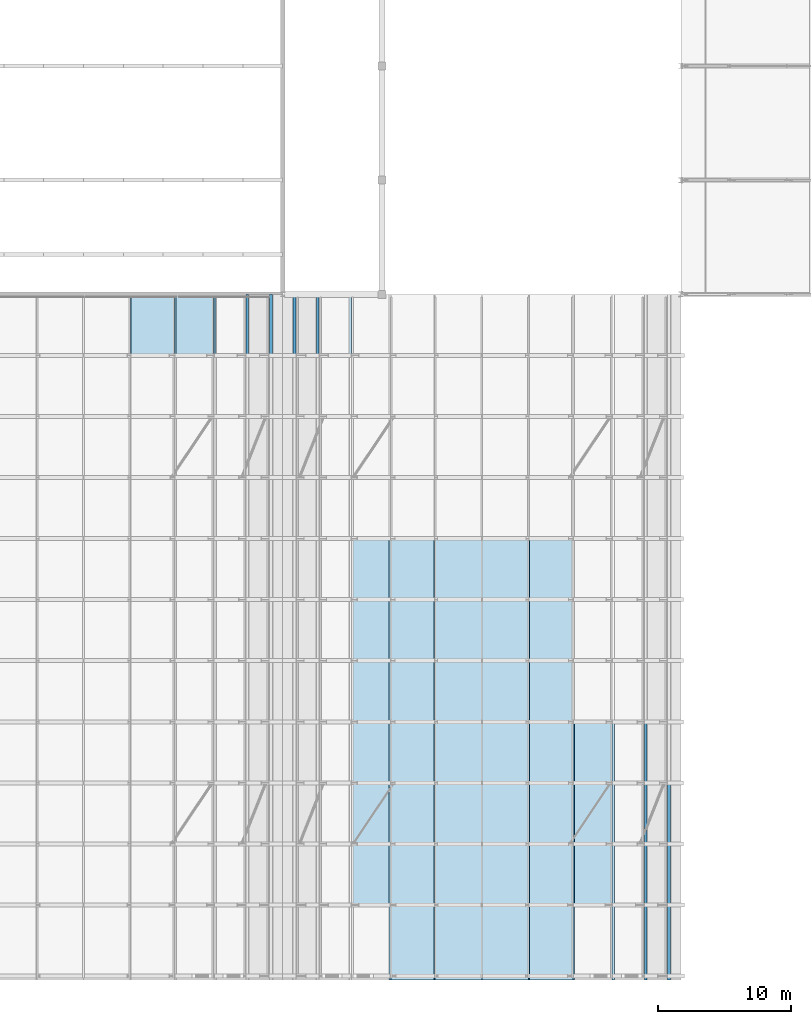
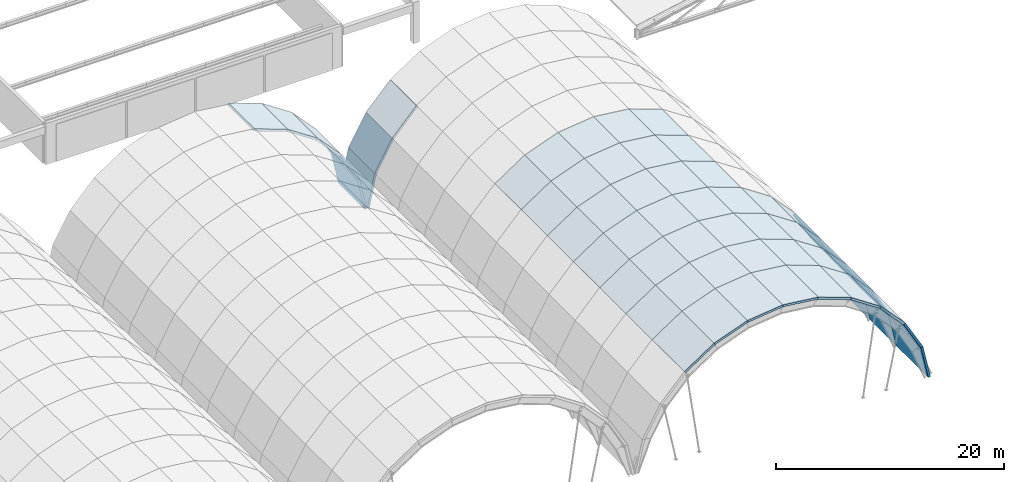
# One storey, part 24 of 47: 58 slabs, 2 elements without a shape of their own.
"""IFC4 building model written with IfcOpenShell, lengths in metres."""

from ifc_helpers import new_model, si_unit, direction, frame, origin, place, context, subcontext, project, spatial, polyline, outline, extrude, material, layer, layer_set, type_object, element, aggregate, save


model = new_model("IFC4")

# Units and contexts
model_context = context("Model", 3, precision=1e-05, world=origin(), true_north=direction((0.0, 1.0)))
body_context = subcontext(model_context, "Body", "Model", "MODEL_VIEW")
ifc_project = project(units=[si_unit("LENGTHUNIT", "METRE"), si_unit("AREAUNIT", "SQUARE_METRE"), si_unit("VOLUMEUNIT", "CUBIC_METRE"), si_unit("PLANEANGLEUNIT", "RADIAN"), si_unit("MASSUNIT", "GRAM", prefix="KILO")], contexts=[model_context])

# Site, building, storey
site_placement = place(None, origin())
site = spatial("IfcSite", under=ifc_project, at=site_placement, CompositionType="ELEMENT")
building_placement = place(site_placement, origin())
building = spatial("IfcBuilding", under=site, at=building_placement, Name="Muzn Square Opera House", CompositionType="ELEMENT")
storey_placement = place(building_placement, frame((0.0, 0.0, 31.0)))
storey = spatial("IfcBuildingStorey", under=building, at=storey_placement, Name="RF-1", CompositionType="ELEMENT", Elevation=31.0)

# Roof, slabs
ifc_material_1 = material(Name="Patina green copper-zinc standing seam", Category="metal")
roof_type = type_object("IfcRoofType", Name="Barrel Vault Roof Assembly", PredefinedType="BARREL_ROOF", material=ifc_material_1)
roof_1_placement = place(storey_placement, origin())
roof_1 = element("IfcRoof", 1, at=roof_1_placement, inside=storey, type_object=roof_type, Name="Grand Auditorium Barrel Vault Roof Assembly", PredefinedType="BARREL_ROOF")
ifc_material_2 = material(Name="Concrete C40/50", Category="concrete")
ifc_layer = layer(ifc_material_2, 0.219970703125, Name="Concrete C40/50", Category="concrete")
ifc_layer_set = layer_set([ifc_layer], Name="Concrete C40/50")
slab_type = type_object("IfcSlabType", Name="Barrel Vault Roof Slab 220mm", PredefinedType="ROOF", material=ifc_layer_set)
slab_1_placement = place(storey_placement, frame((91.58642578125, 68.0, -0.00244140625), z_axis=(0.344922006795, 0.0, 0.938631348948), x_axis=(0.938631348948, 0.0, -0.344922006795)))
slab_1 = element("IfcSlab", 2, at=slab_1_placement, type_object=slab_type, Name="Barrel Vault Roof Deck Strip V2-10-F07", PredefinedType="ROOF", context=body_context, shape_type="SweptSolid", body=[
    extrude(outline(polyline([(0.0, 0.0), (3.6112670233072075, 0.0), (3.6112670233072075, 4.60009765625), (0.0, 4.60009765625), (0.0, 0.0)])), origin(), (0.0, 0.0, -1.0), 0.219970703125),
])
slab_2_placement = place(storey_placement, frame((94.97607421875, 68.0, -1.248046875), z_axis=(0.553701293488, 0.0, 0.832715364089), x_axis=(0.832715364089, 0.0, -0.553701293488)))
slab_2 = element("IfcSlab", 3, at=slab_2_placement, type_object=slab_type, Name="Barrel Vault Roof Deck Strip V2-10-F08", PredefinedType="ROOF", context=body_context, shape_type="SweptSolid", body=[
    extrude(outline(polyline([(0.0, 0.0), (3.611174007116638, 0.0), (3.611174007116638, 4.600097656249999), (0.0, 4.600097656249999), (0.0, 0.0)])), origin(), (0.0, 0.0, -1.0), 0.219970703125),
])
slab_3_placement = place(storey_placement, frame((97.983154296875, 68.0, -3.24755859375), z_axis=(0.732198498352, 0.0, 0.681091300055), x_axis=(0.681091300055, 0.0, -0.732198498352)))
slab_3 = element("IfcSlab", 4, at=slab_3_placement, type_object=slab_type, Name="Barrel Vault Roof Deck Strip V2-10-F09", PredefinedType="ROOF", context=body_context, shape_type="SweptSolid", body=[
    extrude(outline(polyline([(0.0, 0.0), (3.611434761647482, 0.0), (3.611434761647482, 4.600097656250001), (0.0, 4.600097656250001), (0.0, 0.0)])), origin(), (0.0, 0.0, -1.0), 0.219970703125),
])
slab_4_placement = place(storey_placement, frame((100.44287109375, 68.0, -5.891845703125), z_axis=(0.870542692247, 0.0, 0.492092898724), x_axis=(0.492092898724, 0.0, -0.870542692247)))
slab_4 = element("IfcSlab", 5, at=slab_4_placement, type_object=slab_type, Name="Barrel Vault Roof Deck Strip V2-10-F10", PredefinedType="ROOF", context=body_context, shape_type="SweptSolid", body=[
    extrude(outline(polyline([(0.0, 0.0), (3.611309193818898, 0.0), (3.611309193818898, 4.60009765625), (0.0, 4.60009765625), (0.0, 0.0)])), origin(), (0.0, 0.0, -1.0), 0.219970703125),
])
slab_5_placement = place(storey_placement, frame((102.219970703125, 68.0, -9.03564453125), z_axis=(0.97702538959, 0.0, 0.213122941272), x_axis=(0.213122941272, 0.0, -0.97702538959)))
slab_5 = element("IfcSlab", 6, at=slab_5_placement, type_object=slab_type, Name="Barrel Vault Roof Deck Strip V2-10-F11", PredefinedType="ROOF", context=body_context, shape_type="SweptSolid", body=[
    extrude(outline(polyline([(0.0, 0.0), (3.5523162058829336, 0.0), (3.5523162058829336, 4.60009765625), (0.0, 4.60009765625), (0.0, 0.0)])), origin(), (0.0, 0.0, -1.0), 0.219970703125),
])
aggregate(roof_1, [slab_1, slab_2, slab_3, slab_4, slab_5])

roof_2_placement = place(storey_placement, origin())
roof_2 = element("IfcRoof", 7, at=roof_2_placement, inside=storey, type_object=roof_type, Name="East Foyer Barrel Vault Roof Assembly", PredefinedType="BARREL_ROOF")
slab_6_placement = place(storey_placement, frame((111.02392578125, 20.949951171875, -1.248046875), z_axis=(-0.553701293488, 0.0, 0.832715364089), x_axis=(0.0, 1.0, 0.0)))
slab_6 = element("IfcSlab", 8, at=slab_6_placement, type_object=slab_type, Name="Barrel Vault Roof Deck Strip V3-00-F03", PredefinedType="ROOF", context=body_context, shape_type="SweptSolid", body=[
    extrude(outline(polyline([(0.0, 3.6111740071166376), (0.0, 0.0), (5.650146484375, 0.0), (5.650146484375, 3.6111740071166376), (0.0, 3.6111740071166376)])), origin(), (0.0, 0.0, -1.0), 0.219970703125),
])
slab_7_placement = place(storey_placement, frame((114.41357421875, 20.949951171875, -0.00244140625), z_axis=(-0.344922006795, 0.0, 0.938631348948), x_axis=(0.0, 1.0, 0.0)))
slab_7 = element("IfcSlab", 9, at=slab_7_placement, type_object=slab_type, Name="Barrel Vault Roof Deck Strip V3-00-F04", PredefinedType="ROOF", context=body_context, shape_type="SweptSolid", body=[
    extrude(outline(polyline([(0.0, 3.6112670233072075), (0.0, 0.0), (5.650146484375, 0.0), (5.650146484375, 3.6112670233072075), (0.0, 3.6112670233072075)])), origin(), (0.0, 0.0, -1.0), 0.219970703125),
])
slab_8_placement = place(storey_placement, frame((118.0, 20.949951171875, 0.419921875), z_axis=(-0.116958923267, 0.0, 0.993136753055), x_axis=(0.0, 1.0, 0.0)))
slab_8 = element("IfcSlab", 10, at=slab_8_placement, type_object=slab_type, Name="Barrel Vault Roof Deck Strip V3-00-F05", PredefinedType="ROOF", context=body_context, shape_type="SweptSolid", body=[
    extrude(outline(polyline([(0.0, 3.611210410065154), (0.0, 0.0), (5.650146484375, 0.0), (5.650146484375, 3.611210410065154), (0.0, 3.611210410065154)])), origin(), (0.0, 0.0, -1.0), 0.219970703125),
])
slab_9_placement = place(storey_placement, frame((118.0, 20.949951171875, 0.419921875), z_axis=(0.116958923267, 0.0, 0.993136753055), x_axis=(0.993136753055, 0.0, -0.116958923267)))
slab_9 = element("IfcSlab", 11, at=slab_9_placement, type_object=slab_type, Name="Barrel Vault Roof Deck Strip V3-00-F06", PredefinedType="ROOF", context=body_context, shape_type="SweptSolid", body=[
    extrude(outline(polyline([(0.0, 0.0), (3.611210410065154, 0.0), (3.611210410065154, 5.650146484375), (0.0, 5.650146484375), (0.0, 0.0)])), origin(), (0.0, 0.0, -1.0), 0.219970703125),
])
slab_10_placement = place(storey_placement, frame((121.58642578125, 20.949951171875, -0.00244140625), z_axis=(0.344922006795, 0.0, 0.938631348948), x_axis=(0.938631348948, 0.0, -0.344922006795)))
slab_10 = element("IfcSlab", 12, at=slab_10_placement, type_object=slab_type, Name="Barrel Vault Roof Deck Strip V3-00-F07", PredefinedType="ROOF", context=body_context, shape_type="SweptSolid", body=[
    extrude(outline(polyline([(0.0, 0.0), (3.6112670233072075, 0.0), (3.6112670233072075, 5.650146484375), (0.0, 5.650146484375), (0.0, 0.0)])), origin(), (0.0, 0.0, -1.0), 0.219970703125),
])
slab_11_placement = place(storey_placement, frame((124.97607421875, 20.949951171875, -1.248046875), z_axis=(0.553701293488, 0.0, 0.832715364089), x_axis=(0.832715364089, 0.0, -0.553701293488)))
slab_11 = element("IfcSlab", 13, at=slab_11_placement, type_object=slab_type, Name="Barrel Vault Roof Deck Strip V3-00-F08", PredefinedType="ROOF", context=body_context, shape_type="SweptSolid", body=[
    extrude(outline(polyline([(0.0, 0.0), (3.611174007116638, 0.0), (3.611174007116638, 5.650146484375), (0.0, 5.650146484375), (0.0, 0.0)])), origin(), (0.0, 0.0, -1.0), 0.219970703125),
])
slab_12_placement = place(storey_placement, frame((127.983154296875, 20.949951171875, -3.24755859375), z_axis=(0.732198498352, 0.0, 0.681091300055), x_axis=(0.681091300055, 0.0, -0.732198498352)))
slab_12 = element("IfcSlab", 14, at=slab_12_placement, type_object=slab_type, Name="Barrel Vault Roof Deck Strip V3-00-F09", PredefinedType="ROOF", context=body_context, shape_type="SweptSolid", body=[
    extrude(outline(polyline([(0.0, 0.0), (3.611434761647482, 0.0), (3.611434761647482, 5.650146484375), (0.0, 5.650146484375), (0.0, 0.0)])), origin(), (0.0, 0.0, -1.0), 0.219970703125),
])
slab_13_placement = place(storey_placement, frame((130.44287109375, 20.949951171875, -5.891845703125), z_axis=(0.870542692247, 0.0, 0.492092898724), x_axis=(0.492092898724, 0.0, -0.870542692247)))
slab_13 = element("IfcSlab", 15, at=slab_13_placement, type_object=slab_type, Name="Barrel Vault Roof Deck Strip V3-00-F10", PredefinedType="ROOF", context=body_context, shape_type="SweptSolid", body=[
    extrude(outline(polyline([(0.0, 0.0), (3.611309193818898, 0.0), (3.611309193818898, 5.650146484375), (0.0, 5.650146484375), (0.0, 0.0)])), origin(), (0.0, 0.0, -1.0), 0.219970703125),
])
slab_14_placement = place(storey_placement, frame((132.219970703125, 20.949951171875, -9.03564453125), z_axis=(0.97702538959, 0.0, 0.213122941272), x_axis=(0.213122941272, 0.0, -0.97702538959)))
slab_14 = element("IfcSlab", 16, at=slab_14_placement, type_object=slab_type, Name="Barrel Vault Roof Deck Strip V3-00-F11", PredefinedType="ROOF", context=body_context, shape_type="SweptSolid", body=[
    extrude(outline(polyline([(0.0, 0.0), (3.5523162058829336, 0.0), (3.5523162058829336, 5.650146484375), (0.0, 5.650146484375), (0.0, 0.0)])), origin(), (0.0, 0.0, -1.0), 0.219970703125),
])
slab_15_placement = place(storey_placement, frame((111.02392578125, 26.60009765625, -1.248046875), z_axis=(-0.553701293488, 0.0, 0.832715364089), x_axis=(0.0, 1.0, 0.0)))
slab_15 = element("IfcSlab", 17, at=slab_15_placement, type_object=slab_type, Name="Barrel Vault Roof Deck Strip V3-01-F03", PredefinedType="ROOF", context=body_context, shape_type="SweptSolid", body=[
    extrude(outline(polyline([(0.0, 3.6111740071166376), (0.0, 0.0), (4.599853515625, 0.0), (4.599853515625, 3.6111740071166376), (0.0, 3.6111740071166376)])), origin(), (0.0, 0.0, -1.0), 0.219970703125),
])
slab_16_placement = place(storey_placement, frame((114.41357421875, 26.60009765625, -0.00244140625), z_axis=(-0.344922006795, 0.0, 0.938631348948), x_axis=(0.0, 1.0, 0.0)))
slab_16 = element("IfcSlab", 18, at=slab_16_placement, type_object=slab_type, Name="Barrel Vault Roof Deck Strip V3-01-F04", PredefinedType="ROOF", context=body_context, shape_type="SweptSolid", body=[
    extrude(outline(polyline([(0.0, 3.6112670233072075), (0.0, 0.0), (4.599853515625, 0.0), (4.599853515625, 3.6112670233072075), (0.0, 3.6112670233072075)])), origin(), (0.0, 0.0, -1.0), 0.219970703125),
])
slab_17_placement = place(storey_placement, frame((118.0, 26.60009765625, 0.419921875), z_axis=(-0.116958923267, 0.0, 0.993136753055), x_axis=(0.0, 1.0, 0.0)))
slab_17 = element("IfcSlab", 19, at=slab_17_placement, type_object=slab_type, Name="Barrel Vault Roof Deck Strip V3-01-F05", PredefinedType="ROOF", context=body_context, shape_type="SweptSolid", body=[
    extrude(outline(polyline([(0.0, 3.611210410065154), (0.0, 0.0), (4.599853515625, 0.0), (4.599853515625, 3.611210410065154), (0.0, 3.611210410065154)])), origin(), (0.0, 0.0, -1.0), 0.219970703125),
])
slab_18_placement = place(storey_placement, frame((118.0, 26.60009765625, 0.419921875), z_axis=(0.116958923267, 0.0, 0.993136753055), x_axis=(0.993136753055, 0.0, -0.116958923267)))
slab_18 = element("IfcSlab", 20, at=slab_18_placement, type_object=slab_type, Name="Barrel Vault Roof Deck Strip V3-01-F06", PredefinedType="ROOF", context=body_context, shape_type="SweptSolid", body=[
    extrude(outline(polyline([(0.0, 0.0), (3.611210410065154, 0.0), (3.611210410065154, 4.599853515625), (0.0, 4.599853515625), (0.0, 0.0)])), origin(), (0.0, 0.0, -1.0), 0.219970703125),
])
slab_19_placement = place(storey_placement, frame((121.58642578125, 26.60009765625, -0.00244140625), z_axis=(0.344922006795, 0.0, 0.938631348948), x_axis=(0.938631348948, 0.0, -0.344922006795)))
slab_19 = element("IfcSlab", 21, at=slab_19_placement, type_object=slab_type, Name="Barrel Vault Roof Deck Strip V3-01-F07", PredefinedType="ROOF", context=body_context, shape_type="SweptSolid", body=[
    extrude(outline(polyline([(0.0, 0.0), (3.6112670233072075, 0.0), (3.6112670233072075, 4.599853515625), (0.0, 4.599853515625), (0.0, 0.0)])), origin(), (0.0, 0.0, -1.0), 0.219970703125),
])
slab_20_placement = place(storey_placement, frame((124.97607421875, 26.60009765625, -1.248046875), z_axis=(0.553701293488, 0.0, 0.832715364089), x_axis=(0.832715364089, 0.0, -0.553701293488)))
slab_20 = element("IfcSlab", 22, at=slab_20_placement, type_object=slab_type, Name="Barrel Vault Roof Deck Strip V3-01-F08", PredefinedType="ROOF", context=body_context, shape_type="SweptSolid", body=[
    extrude(outline(polyline([(0.0, 0.0), (3.611174007116638, 0.0), (3.611174007116638, 4.599853515625), (0.0, 4.599853515625), (0.0, 0.0)])), origin(), (0.0, 0.0, -1.0), 0.219970703125),
])
slab_21_placement = place(storey_placement, frame((127.983154296875, 26.60009765625, -3.24755859375), z_axis=(0.732198498352, 0.0, 0.681091300055), x_axis=(0.681091300055, 0.0, -0.732198498352)))
slab_21 = element("IfcSlab", 23, at=slab_21_placement, type_object=slab_type, Name="Barrel Vault Roof Deck Strip V3-01-F09", PredefinedType="ROOF", context=body_context, shape_type="SweptSolid", body=[
    extrude(outline(polyline([(0.0, 0.0), (3.611434761647482, 0.0), (3.611434761647482, 4.599853515625), (0.0, 4.599853515625), (0.0, 0.0)])), origin(), (0.0, 0.0, -1.0), 0.219970703125),
])
slab_22_placement = place(storey_placement, frame((130.44287109375, 26.60009765625, -5.891845703125), z_axis=(0.870542692247, 0.0, 0.492092898724), x_axis=(0.492092898724, 0.0, -0.870542692247)))
slab_22 = element("IfcSlab", 24, at=slab_22_placement, type_object=slab_type, Name="Barrel Vault Roof Deck Strip V3-01-F10", PredefinedType="ROOF", context=body_context, shape_type="SweptSolid", body=[
    extrude(outline(polyline([(0.0, 0.0), (3.611309193818898, 0.0), (3.611309193818898, 4.599853515625), (0.0, 4.599853515625), (0.0, 0.0)])), origin(), (0.0, 0.0, -1.0), 0.219970703125),
])
slab_23_placement = place(storey_placement, frame((132.219970703125, 26.60009765625, -9.03564453125), z_axis=(0.97702538959, 0.0, 0.213122941272), x_axis=(0.213122941272, 0.0, -0.97702538959)))
slab_23 = element("IfcSlab", 25, at=slab_23_placement, type_object=slab_type, Name="Barrel Vault Roof Deck Strip V3-01-F11", PredefinedType="ROOF", context=body_context, shape_type="SweptSolid", body=[
    extrude(outline(polyline([(0.0, 0.0), (3.5523162058829336, 0.0), (3.5523162058829336, 4.599853515625), (0.0, 4.599853515625), (0.0, 0.0)])), origin(), (0.0, 0.0, -1.0), 0.219970703125),
])
slab_24_placement = place(storey_placement, frame((111.02392578125, 31.199951171875, -1.248046875), z_axis=(-0.553701293488, 0.0, 0.832715364089), x_axis=(0.0, 1.0, 0.0)))
slab_24 = element("IfcSlab", 26, at=slab_24_placement, type_object=slab_type, Name="Barrel Vault Roof Deck Strip V3-02-F03", PredefinedType="ROOF", context=body_context, shape_type="SweptSolid", body=[
    extrude(outline(polyline([(0.0, 3.611174007116637), (0.0, 0.0), (4.60009765625, 0.0), (4.60009765625, 3.611174007116637), (0.0, 3.611174007116637)])), origin(), (0.0, 0.0, -1.0), 0.219970703125),
])
slab_25_placement = place(storey_placement, frame((114.41357421875, 31.199951171875, -0.00244140625), z_axis=(-0.344922006795, 0.0, 0.938631348948), x_axis=(0.0, 1.0, 0.0)))
slab_25 = element("IfcSlab", 27, at=slab_25_placement, type_object=slab_type, Name="Barrel Vault Roof Deck Strip V3-02-F04", PredefinedType="ROOF", context=body_context, shape_type="SweptSolid", body=[
    extrude(outline(polyline([(0.0, 3.6112670233072075), (0.0, 0.0), (4.60009765625, 0.0), (4.60009765625, 3.6112670233072075), (0.0, 3.6112670233072075)])), origin(), (0.0, 0.0, -1.0), 0.219970703125),
])
slab_26_placement = place(storey_placement, frame((118.0, 31.199951171875, 0.419921875), z_axis=(-0.116958923267, 0.0, 0.993136753055), x_axis=(0.0, 1.0, 0.0)))
slab_26 = element("IfcSlab", 28, at=slab_26_placement, type_object=slab_type, Name="Barrel Vault Roof Deck Strip V3-02-F05", PredefinedType="ROOF", context=body_context, shape_type="SweptSolid", body=[
    extrude(outline(polyline([(0.0, 3.611210410065154), (0.0, 0.0), (4.60009765625, 0.0), (4.60009765625, 3.611210410065154), (0.0, 3.611210410065154)])), origin(), (0.0, 0.0, -1.0), 0.219970703125),
])
slab_27_placement = place(storey_placement, frame((118.0, 31.199951171875, 0.419921875), z_axis=(0.116958923267, 0.0, 0.993136753055), x_axis=(0.993136753055, 0.0, -0.116958923267)))
slab_27 = element("IfcSlab", 29, at=slab_27_placement, type_object=slab_type, Name="Barrel Vault Roof Deck Strip V3-02-F06", PredefinedType="ROOF", context=body_context, shape_type="SweptSolid", body=[
    extrude(outline(polyline([(0.0, 0.0), (3.611210410065154, 0.0), (3.611210410065154, 4.60009765625), (0.0, 4.60009765625), (0.0, 0.0)])), origin(), (0.0, 0.0, -1.0), 0.219970703125),
])
slab_28_placement = place(storey_placement, frame((121.58642578125, 31.199951171875, -0.00244140625), z_axis=(0.344922006795, 0.0, 0.938631348948), x_axis=(0.938631348948, 0.0, -0.344922006795)))
slab_28 = element("IfcSlab", 30, at=slab_28_placement, type_object=slab_type, Name="Barrel Vault Roof Deck Strip V3-02-F07", PredefinedType="ROOF", context=body_context, shape_type="SweptSolid", body=[
    extrude(outline(polyline([(0.0, 0.0), (3.6112670233072075, 0.0), (3.6112670233072075, 4.60009765625), (0.0, 4.60009765625), (0.0, 0.0)])), origin(), (0.0, 0.0, -1.0), 0.219970703125),
])
slab_29_placement = place(storey_placement, frame((124.97607421875, 31.199951171875, -1.248046875), z_axis=(0.553701293488, 0.0, 0.832715364089), x_axis=(0.832715364089, 0.0, -0.553701293488)))
slab_29 = element("IfcSlab", 31, at=slab_29_placement, type_object=slab_type, Name="Barrel Vault Roof Deck Strip V3-02-F08", PredefinedType="ROOF", context=body_context, shape_type="SweptSolid", body=[
    extrude(outline(polyline([(0.0, 0.0), (3.611174007116638, 0.0), (3.611174007116638, 4.600097656249999), (0.0, 4.600097656249999), (0.0, 0.0)])), origin(), (0.0, 0.0, -1.0), 0.219970703125),
])
slab_30_placement = place(storey_placement, frame((127.983154296875, 31.199951171875, -3.24755859375), z_axis=(0.732198498352, 0.0, 0.681091300055), x_axis=(0.681091300055, 0.0, -0.732198498352)))
slab_30 = element("IfcSlab", 32, at=slab_30_placement, type_object=slab_type, Name="Barrel Vault Roof Deck Strip V3-02-F09", PredefinedType="ROOF", context=body_context, shape_type="SweptSolid", body=[
    extrude(outline(polyline([(0.0, 0.0), (3.611434761647482, 0.0), (3.611434761647482, 4.600097656250001), (0.0, 4.600097656250001), (0.0, 0.0)])), origin(), (0.0, 0.0, -1.0), 0.219970703125),
])
slab_31_placement = place(storey_placement, frame((130.44287109375, 31.199951171875, -5.891845703125), z_axis=(0.870542692247, 0.0, 0.492092898724), x_axis=(0.492092898724, 0.0, -0.870542692247)))
slab_31 = element("IfcSlab", 33, at=slab_31_placement, type_object=slab_type, Name="Barrel Vault Roof Deck Strip V3-02-F10", PredefinedType="ROOF", context=body_context, shape_type="SweptSolid", body=[
    extrude(outline(polyline([(0.0, 0.0), (3.611309193818898, 0.0), (3.611309193818898, 4.60009765625), (0.0, 4.60009765625), (0.0, 0.0)])), origin(), (0.0, 0.0, -1.0), 0.219970703125),
])
slab_32_placement = place(storey_placement, frame((132.219970703125, 31.199951171875, -9.03564453125), z_axis=(0.97702538959, 0.0, 0.213122941272), x_axis=(0.213122941272, 0.0, -0.97702538959)))
slab_32 = element("IfcSlab", 34, at=slab_32_placement, type_object=slab_type, Name="Barrel Vault Roof Deck Strip V3-02-F11", PredefinedType="ROOF", context=body_context, shape_type="SweptSolid", body=[
    extrude(outline(polyline([(0.0, 0.0), (3.5523162058829336, 0.0), (3.5523162058829336, 4.60009765625), (0.0, 4.60009765625), (0.0, 0.0)])), origin(), (0.0, 0.0, -1.0), 0.219970703125),
])
slab_33_placement = place(storey_placement, frame((111.02392578125, 35.800048828125, -1.248046875), z_axis=(-0.553701293488, 0.0, 0.832715364089), x_axis=(0.0, 1.0, 0.0)))
slab_33 = element("IfcSlab", 35, at=slab_33_placement, type_object=slab_type, Name="Barrel Vault Roof Deck Strip V3-03-F03", PredefinedType="ROOF", context=body_context, shape_type="SweptSolid", body=[
    extrude(outline(polyline([(0.0, 3.6111740071166376), (0.0, 0.0), (4.599853515625, 0.0), (4.599853515625, 3.6111740071166376), (0.0, 3.6111740071166376)])), origin(), (0.0, 0.0, -1.0), 0.219970703125),
])
slab_34_placement = place(storey_placement, frame((114.41357421875, 35.800048828125, -0.00244140625), z_axis=(-0.344922006795, 0.0, 0.938631348948), x_axis=(0.0, 1.0, 0.0)))
slab_34 = element("IfcSlab", 36, at=slab_34_placement, type_object=slab_type, Name="Barrel Vault Roof Deck Strip V3-03-F04", PredefinedType="ROOF", context=body_context, shape_type="SweptSolid", body=[
    extrude(outline(polyline([(0.0, 3.6112670233072075), (0.0, 0.0), (4.599853515625, 0.0), (4.599853515625, 3.6112670233072075), (0.0, 3.6112670233072075)])), origin(), (0.0, 0.0, -1.0), 0.219970703125),
])
slab_35_placement = place(storey_placement, frame((118.0, 35.800048828125, 0.419921875), z_axis=(-0.116958923267, 0.0, 0.993136753055), x_axis=(0.0, 1.0, 0.0)))
slab_35 = element("IfcSlab", 37, at=slab_35_placement, type_object=slab_type, Name="Barrel Vault Roof Deck Strip V3-03-F05", PredefinedType="ROOF", context=body_context, shape_type="SweptSolid", body=[
    extrude(outline(polyline([(0.0, 3.611210410065154), (0.0, 0.0), (4.599853515625, 0.0), (4.599853515625, 3.611210410065154), (0.0, 3.611210410065154)])), origin(), (0.0, 0.0, -1.0), 0.219970703125),
])
slab_36_placement = place(storey_placement, frame((118.0, 35.800048828125, 0.419921875), z_axis=(0.116958923267, 0.0, 0.993136753055), x_axis=(0.993136753055, 0.0, -0.116958923267)))
slab_36 = element("IfcSlab", 38, at=slab_36_placement, type_object=slab_type, Name="Barrel Vault Roof Deck Strip V3-03-F06", PredefinedType="ROOF", context=body_context, shape_type="SweptSolid", body=[
    extrude(outline(polyline([(0.0, 0.0), (3.611210410065154, 0.0), (3.611210410065154, 4.599853515625), (0.0, 4.599853515625), (0.0, 0.0)])), origin(), (0.0, 0.0, -1.0), 0.219970703125),
])
slab_37_placement = place(storey_placement, frame((121.58642578125, 35.800048828125, -0.00244140625), z_axis=(0.344922006795, 0.0, 0.938631348948), x_axis=(0.938631348948, 0.0, -0.344922006795)))
slab_37 = element("IfcSlab", 39, at=slab_37_placement, type_object=slab_type, Name="Barrel Vault Roof Deck Strip V3-03-F07", PredefinedType="ROOF", context=body_context, shape_type="SweptSolid", body=[
    extrude(outline(polyline([(0.0, 0.0), (3.6112670233072075, 0.0), (3.6112670233072075, 4.599853515625), (0.0, 4.599853515625), (0.0, 0.0)])), origin(), (0.0, 0.0, -1.0), 0.219970703125),
])
slab_38_placement = place(storey_placement, frame((124.97607421875, 35.800048828125, -1.248046875), z_axis=(0.553701293488, 0.0, 0.832715364089), x_axis=(0.832715364089, 0.0, -0.553701293488)))
slab_38 = element("IfcSlab", 40, at=slab_38_placement, type_object=slab_type, Name="Barrel Vault Roof Deck Strip V3-03-F08", PredefinedType="ROOF", context=body_context, shape_type="SweptSolid", body=[
    extrude(outline(polyline([(0.0, 0.0), (3.611174007116638, 0.0), (3.611174007116638, 4.599853515625), (0.0, 4.599853515625), (0.0, 0.0)])), origin(), (0.0, 0.0, -1.0), 0.219970703125),
])
slab_39_placement = place(storey_placement, frame((127.983154296875, 35.800048828125, -3.24755859375), z_axis=(0.732198498352, 0.0, 0.681091300055), x_axis=(0.681091300055, 0.0, -0.732198498352)))
slab_39 = element("IfcSlab", 41, at=slab_39_placement, type_object=slab_type, Name="Barrel Vault Roof Deck Strip V3-03-F09", PredefinedType="ROOF", context=body_context, shape_type="SweptSolid", body=[
    extrude(outline(polyline([(0.0, 0.0), (3.611434761647482, 0.0), (3.611434761647482, 4.599853515625), (0.0, 4.599853515625), (0.0, 0.0)])), origin(), (0.0, 0.0, -1.0), 0.219970703125),
])
slab_40_placement = place(storey_placement, frame((130.44287109375, 35.800048828125, -5.891845703125), z_axis=(0.870542692247, 0.0, 0.492092898724), x_axis=(0.492092898724, 0.0, -0.870542692247)))
slab_40 = element("IfcSlab", 42, at=slab_40_placement, type_object=slab_type, Name="Barrel Vault Roof Deck Strip V3-03-F10", PredefinedType="ROOF", context=body_context, shape_type="SweptSolid", body=[
    extrude(outline(polyline([(0.0, 0.0), (3.611309193818898, 0.0), (3.611309193818898, 4.599853515625), (0.0, 4.599853515625), (0.0, 0.0)])), origin(), (0.0, 0.0, -1.0), 0.219970703125),
])
slab_41_placement = place(storey_placement, frame((111.02392578125, 40.39990234375, -1.248046875), z_axis=(-0.553701293488, 0.0, 0.832715364089), x_axis=(0.0, 1.0, 0.0)))
slab_41 = element("IfcSlab", 43, at=slab_41_placement, type_object=slab_type, Name="Barrel Vault Roof Deck Strip V3-04-F03", PredefinedType="ROOF", context=body_context, shape_type="SweptSolid", body=[
    extrude(outline(polyline([(0.0, 3.611174007116637), (0.0, 0.0), (4.60009765625, 0.0), (4.60009765625, 3.611174007116637), (0.0, 3.611174007116637)])), origin(), (0.0, 0.0, -1.0), 0.219970703125),
])
slab_42_placement = place(storey_placement, frame((114.41357421875, 40.39990234375, -0.00244140625), z_axis=(-0.344922006795, 0.0, 0.938631348948), x_axis=(0.0, 1.0, 0.0)))
slab_42 = element("IfcSlab", 44, at=slab_42_placement, type_object=slab_type, Name="Barrel Vault Roof Deck Strip V3-04-F04", PredefinedType="ROOF", context=body_context, shape_type="SweptSolid", body=[
    extrude(outline(polyline([(0.0, 3.6112670233072075), (0.0, 0.0), (4.60009765625, 0.0), (4.60009765625, 3.6112670233072075), (0.0, 3.6112670233072075)])), origin(), (0.0, 0.0, -1.0), 0.219970703125),
])
slab_43_placement = place(storey_placement, frame((118.0, 40.39990234375, 0.419921875), z_axis=(-0.116958923267, 0.0, 0.993136753055), x_axis=(0.0, 1.0, 0.0)))
slab_43 = element("IfcSlab", 45, at=slab_43_placement, type_object=slab_type, Name="Barrel Vault Roof Deck Strip V3-04-F05", PredefinedType="ROOF", context=body_context, shape_type="SweptSolid", body=[
    extrude(outline(polyline([(0.0, 3.611210410065154), (0.0, 0.0), (4.60009765625, 0.0), (4.60009765625, 3.611210410065154), (0.0, 3.611210410065154)])), origin(), (0.0, 0.0, -1.0), 0.219970703125),
])
slab_44_placement = place(storey_placement, frame((118.0, 40.39990234375, 0.419921875), z_axis=(0.116958923267, 0.0, 0.993136753055), x_axis=(0.993136753055, 0.0, -0.116958923267)))
slab_44 = element("IfcSlab", 46, at=slab_44_placement, type_object=slab_type, Name="Barrel Vault Roof Deck Strip V3-04-F06", PredefinedType="ROOF", context=body_context, shape_type="SweptSolid", body=[
    extrude(outline(polyline([(0.0, 0.0), (3.611210410065154, 0.0), (3.611210410065154, 4.60009765625), (0.0, 4.60009765625), (0.0, 0.0)])), origin(), (0.0, 0.0, -1.0), 0.219970703125),
])
slab_45_placement = place(storey_placement, frame((121.58642578125, 40.39990234375, -0.00244140625), z_axis=(0.344922006795, 0.0, 0.938631348948), x_axis=(0.938631348948, 0.0, -0.344922006795)))
slab_45 = element("IfcSlab", 47, at=slab_45_placement, type_object=slab_type, Name="Barrel Vault Roof Deck Strip V3-04-F07", PredefinedType="ROOF", context=body_context, shape_type="SweptSolid", body=[
    extrude(outline(polyline([(0.0, 0.0), (3.6112670233072075, 0.0), (3.6112670233072075, 4.60009765625), (0.0, 4.60009765625), (0.0, 0.0)])), origin(), (0.0, 0.0, -1.0), 0.219970703125),
])
slab_46_placement = place(storey_placement, frame((111.02392578125, 45.0, -1.248046875), z_axis=(-0.553701293488, 0.0, 0.832715364089), x_axis=(0.0, 1.0, 0.0)))
slab_46 = element("IfcSlab", 48, at=slab_46_placement, type_object=slab_type, Name="Barrel Vault Roof Deck Strip V3-05-F03", PredefinedType="ROOF", context=body_context, shape_type="SweptSolid", body=[
    extrude(outline(polyline([(0.0, 3.611174007116637), (0.0, 0.0), (4.60009765625, 0.0), (4.60009765625, 3.611174007116637), (0.0, 3.611174007116637)])), origin(), (0.0, 0.0, -1.0), 0.219970703125),
])
slab_47_placement = place(storey_placement, frame((114.41357421875, 45.0, -0.00244140625), z_axis=(-0.344922006795, 0.0, 0.938631348948), x_axis=(0.0, 1.0, 0.0)))
slab_47 = element("IfcSlab", 49, at=slab_47_placement, type_object=slab_type, Name="Barrel Vault Roof Deck Strip V3-05-F04", PredefinedType="ROOF", context=body_context, shape_type="SweptSolid", body=[
    extrude(outline(polyline([(0.0, 3.6112670233072075), (0.0, 0.0), (4.60009765625, 0.0), (4.60009765625, 3.6112670233072075), (0.0, 3.6112670233072075)])), origin(), (0.0, 0.0, -1.0), 0.219970703125),
])
slab_48_placement = place(storey_placement, frame((118.0, 45.0, 0.419921875), z_axis=(-0.116958923267, 0.0, 0.993136753055), x_axis=(0.0, 1.0, 0.0)))
slab_48 = element("IfcSlab", 50, at=slab_48_placement, type_object=slab_type, Name="Barrel Vault Roof Deck Strip V3-05-F05", PredefinedType="ROOF", context=body_context, shape_type="SweptSolid", body=[
    extrude(outline(polyline([(0.0, 3.611210410065154), (0.0, 0.0), (4.60009765625, 0.0), (4.60009765625, 3.611210410065154), (0.0, 3.611210410065154)])), origin(), (0.0, 0.0, -1.0), 0.219970703125),
])
slab_49_placement = place(storey_placement, frame((118.0, 45.0, 0.419921875), z_axis=(0.116958923267, 0.0, 0.993136753055), x_axis=(0.993136753055, 0.0, -0.116958923267)))
slab_49 = element("IfcSlab", 51, at=slab_49_placement, type_object=slab_type, Name="Barrel Vault Roof Deck Strip V3-05-F06", PredefinedType="ROOF", context=body_context, shape_type="SweptSolid", body=[
    extrude(outline(polyline([(0.0, 0.0), (3.611210410065154, 0.0), (3.611210410065154, 4.60009765625), (0.0, 4.60009765625), (0.0, 0.0)])), origin(), (0.0, 0.0, -1.0), 0.219970703125),
])
slab_50_placement = place(storey_placement, frame((121.58642578125, 45.0, -0.00244140625), z_axis=(0.344922006795, 0.0, 0.938631348948), x_axis=(0.938631348948, 0.0, -0.344922006795)))
slab_50 = element("IfcSlab", 52, at=slab_50_placement, type_object=slab_type, Name="Barrel Vault Roof Deck Strip V3-05-F07", PredefinedType="ROOF", context=body_context, shape_type="SweptSolid", body=[
    extrude(outline(polyline([(0.0, 0.0), (3.6112670233072075, 0.0), (3.6112670233072075, 4.60009765625), (0.0, 4.60009765625), (0.0, 0.0)])), origin(), (0.0, 0.0, -1.0), 0.219970703125),
])
slab_51_placement = place(storey_placement, frame((111.02392578125, 49.60009765625, -1.248046875), z_axis=(-0.553701293488, 0.0, 0.832715364089), x_axis=(0.0, 1.0, 0.0)))
slab_51 = element("IfcSlab", 53, at=slab_51_placement, type_object=slab_type, Name="Barrel Vault Roof Deck Strip V3-06-F03", PredefinedType="ROOF", context=body_context, shape_type="SweptSolid", body=[
    extrude(outline(polyline([(0.0, 3.6111740071166376), (0.0, 0.0), (4.599853515625, 0.0), (4.599853515625, 3.6111740071166376), (0.0, 3.6111740071166376)])), origin(), (0.0, 0.0, -1.0), 0.219970703125),
])
slab_52_placement = place(storey_placement, frame((114.41357421875, 49.60009765625, -0.00244140625), z_axis=(-0.344922006795, 0.0, 0.938631348948), x_axis=(0.0, 1.0, 0.0)))
slab_52 = element("IfcSlab", 54, at=slab_52_placement, type_object=slab_type, Name="Barrel Vault Roof Deck Strip V3-06-F04", PredefinedType="ROOF", context=body_context, shape_type="SweptSolid", body=[
    extrude(outline(polyline([(0.0, 3.6112670233072075), (0.0, 0.0), (4.599853515625, 0.0), (4.599853515625, 3.6112670233072075), (0.0, 3.6112670233072075)])), origin(), (0.0, 0.0, -1.0), 0.219970703125),
])
slab_53_placement = place(storey_placement, frame((118.0, 49.60009765625, 0.419921875), z_axis=(-0.116958923267, 0.0, 0.993136753055), x_axis=(0.0, 1.0, 0.0)))
slab_53 = element("IfcSlab", 55, at=slab_53_placement, type_object=slab_type, Name="Barrel Vault Roof Deck Strip V3-06-F05", PredefinedType="ROOF", context=body_context, shape_type="SweptSolid", body=[
    extrude(outline(polyline([(0.0, 3.611210410065154), (0.0, 0.0), (4.599853515625, 0.0), (4.599853515625, 3.611210410065154), (0.0, 3.611210410065154)])), origin(), (0.0, 0.0, -1.0), 0.219970703125),
])
slab_54_placement = place(storey_placement, frame((118.0, 49.60009765625, 0.419921875), z_axis=(0.116958923267, 0.0, 0.993136753055), x_axis=(0.993136753055, 0.0, -0.116958923267)))
slab_54 = element("IfcSlab", 56, at=slab_54_placement, type_object=slab_type, Name="Barrel Vault Roof Deck Strip V3-06-F06", PredefinedType="ROOF", context=body_context, shape_type="SweptSolid", body=[
    extrude(outline(polyline([(0.0, 0.0), (3.611210410065154, 0.0), (3.611210410065154, 4.599853515625), (0.0, 4.599853515625), (0.0, 0.0)])), origin(), (0.0, 0.0, -1.0), 0.219970703125),
])
slab_55_placement = place(storey_placement, frame((121.58642578125, 49.60009765625, -0.00244140625), z_axis=(0.344922006795, 0.0, 0.938631348948), x_axis=(0.938631348948, 0.0, -0.344922006795)))
slab_55 = element("IfcSlab", 57, at=slab_55_placement, type_object=slab_type, Name="Barrel Vault Roof Deck Strip V3-06-F07", PredefinedType="ROOF", context=body_context, shape_type="SweptSolid", body=[
    extrude(outline(polyline([(0.0, 0.0), (3.6112670233072075, 0.0), (3.6112670233072075, 4.599853515625), (0.0, 4.599853515625), (0.0, 0.0)])), origin(), (0.0, 0.0, -1.0), 0.219970703125),
])
slab_56_placement = place(storey_placement, frame((103.780029296875, 68.0, -9.03564453125), z_axis=(-0.97702538959, 0.0, 0.213122941272), x_axis=(0.0, 1.0, 0.0)))
slab_56 = element("IfcSlab", 58, at=slab_56_placement, type_object=slab_type, Name="Barrel Vault Roof Deck Strip V3-10-F00", PredefinedType="ROOF", context=body_context, shape_type="SweptSolid", body=[
    extrude(outline(polyline([(0.0, 3.5523162058829336), (0.0, 0.0), (4.60009765625, 0.0), (4.60009765625, 3.5523162058829336), (0.0, 3.5523162058829336)])), origin(), (0.0, 0.0, -1.0), 0.219970703125),
])
slab_57_placement = place(storey_placement, frame((105.55712890625, 68.0, -5.891845703125), z_axis=(-0.870542692247, 0.0, 0.492092898724), x_axis=(0.0, 1.0, 0.0)))
slab_57 = element("IfcSlab", 59, at=slab_57_placement, type_object=slab_type, Name="Barrel Vault Roof Deck Strip V3-10-F01", PredefinedType="ROOF", context=body_context, shape_type="SweptSolid", body=[
    extrude(outline(polyline([(0.0, 3.611309193818898), (0.0, 0.0), (4.60009765625, 0.0), (4.60009765625, 3.611309193818898), (0.0, 3.611309193818898)])), origin(), (0.0, 0.0, -1.0), 0.219970703125),
])
slab_58_placement = place(storey_placement, frame((108.016845703125, 68.0, -3.24755859375), z_axis=(-0.732198498352, 0.0, 0.681091300055), x_axis=(0.0, 1.0, 0.0)))
slab_58 = element("IfcSlab", 60, at=slab_58_placement, type_object=slab_type, Name="Barrel Vault Roof Deck Strip V3-10-F02", PredefinedType="ROOF", context=body_context, shape_type="SweptSolid", body=[
    extrude(outline(polyline([(0.0, 3.6114347616474824), (0.0, 0.0), (4.60009765625, 0.0), (4.60009765625, 3.6114347616474824), (0.0, 3.6114347616474824)])), origin(), (0.0, 0.0, -1.0), 0.219970703125),
])
aggregate(roof_2, [slab_6, slab_7, slab_8, slab_9, slab_10, slab_11, slab_12, slab_13, slab_14, slab_15, slab_16, slab_17, slab_18, slab_19, slab_20, slab_21, slab_22, slab_23, slab_24, slab_25, slab_26, slab_27, slab_28, slab_29, slab_30, slab_31, slab_32, slab_33, slab_34, slab_35, slab_36, slab_37, slab_38, slab_39, slab_40, slab_41, slab_42, slab_43, slab_44, slab_45, slab_46, slab_47, slab_48, slab_49, slab_50, slab_51, slab_52, slab_53, slab_54, slab_55, slab_56, slab_57, slab_58])

save(model, "model.ifc")
